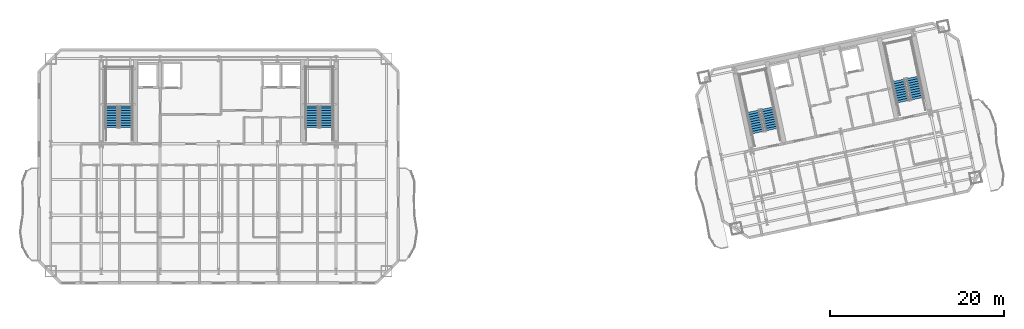
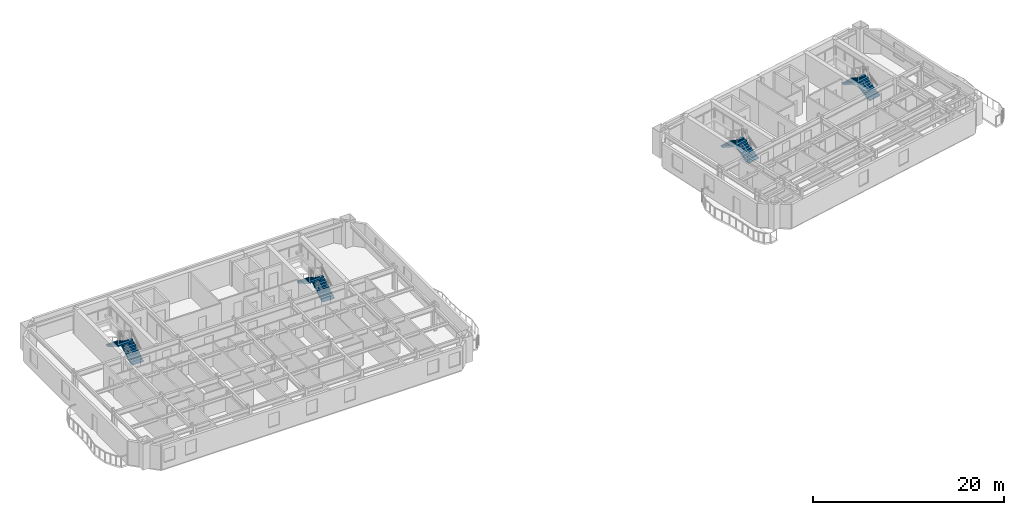
# One storey, part 10 of 14: 8 stair flights, 4 elements without a shape of their own.
"""IFC4 building model written with IfcOpenShell, lengths in metres."""

from ifc_helpers import new_model, si_unit, direction, frame, origin, place, context, subcontext, project, spatial, polyline, outline, extrude, material, type_object, element, aggregate, save


model = new_model("IFC4")

# Units and contexts
model_context = context("Model", 3, precision=1e-05, world=origin(), true_north=direction((0.0, 1.0)))
body_context = subcontext(model_context, "Body", "Model", "MODEL_VIEW")
ifc_project = project(units=[si_unit("LENGTHUNIT", "METRE"), si_unit("AREAUNIT", "SQUARE_METRE"), si_unit("VOLUMEUNIT", "CUBIC_METRE"), si_unit("PLANEANGLEUNIT", "RADIAN"), si_unit("MASSUNIT", "GRAM", prefix="KILO")], contexts=[model_context])

# Site, building, storey
site_placement = place(None, origin())
site = spatial("IfcSite", under=ifc_project, at=site_placement, CompositionType="ELEMENT")
building_placement = place(site_placement, origin())
building = spatial("IfcBuilding", under=site, at=building_placement, Name="Haevon Station Towers", CompositionType="ELEMENT")
storey_placement = place(building_placement, frame((0.0, 0.0, 179.10009765625)))
storey = spatial("IfcBuildingStorey", under=building, at=storey_placement, Name="L49", CompositionType="ELEMENT", Elevation=179.10009765625)

# Stair, stair flights
ifc_material = material(Name="Concrete C40/50", Category="concrete")
stair_type = type_object("IfcStairType", Name="STR-DL1450", PredefinedType="USERDEFINED", material=ifc_material)
stair_1_placement = place(storey_placement, origin())
stair_1 = element("IfcStair", 1, at=stair_1_placement, inside=storey, type_object=stair_type, Name="L49 Escape Stair ST1", ObjectType="TWO_RETURN_STAIR", PredefinedType="USERDEFINED")
stair_flight_type = type_object("IfcStairFlightType", Name="STF-ST1450", PredefinedType="STRAIGHT", material=ifc_material)
stair_flight_1_placement = place(storey_placement, frame((26.85498046875, 40.050048828125, 0.0), z_axis=(0.0, 0.0, 1.0), x_axis=(0.0, 1.0, 0.0)))
stair_flight_1 = element("IfcStairFlight", 2, at=stair_flight_1_placement, type_object=stair_flight_type, Name="L49 ST1 Flight 1", NumberOfRisers=10, NumberOfTreads=9, PredefinedType="STRAIGHT", RiserHeight=0.165, TreadLength=0.28, context=body_context, shape_type="SweptSolid", body=[
    extrude(outline(polyline([(0.0, 0.0), (0.0, 0.1650390625), (0.280029296875, 0.1650390625), (0.280029296875, 0.330078125), (0.56005859375, 0.330078125), (0.56005859375, 0.4951171875), (0.840087890625, 0.4951171875), (0.840087890625, 0.659912109375), (1.1201171875, 0.659912109375), (1.1201171875, 0.824951171875), (1.39990234375, 0.824951171875), (1.39990234375, 0.989990234375), (1.679931640625, 0.989990234375), (1.679931640625, 1.155029296875), (1.9599609375, 1.155029296875), (1.9599609375, 1.320068359375), (2.239990234375, 1.320068359375), (2.239990234375, 1.485107421875), (2.52001953125, 1.485107421875), (2.52001953125, 1.64990234375), (2.52001953125, 1.29931640625), (0.31494140625, 0.0), (0.0, 0.0)])), frame((0.0, 0.72509765625, 0.0), z_axis=(0.0, -1.0, 0.0), x_axis=(1.0, 0.0, 0.0)), (0.0, 0.0, 1.0), 1.449951171875),
])
stair_flight_2_placement = place(storey_placement, frame((25.205078125, 42.570068359375, 1.64990234375), z_axis=(0.0, 0.0, 1.0), x_axis=(0.0, -1.0, 0.0)))
stair_flight_2 = element("IfcStairFlight", 3, at=stair_flight_2_placement, type_object=stair_flight_type, Name="L49 ST1 Flight 2", NumberOfRisers=10, NumberOfTreads=9, PredefinedType="STRAIGHT", RiserHeight=0.165, TreadLength=0.28, context=body_context, shape_type="SweptSolid", body=[
    extrude(outline(polyline([(0.0, 0.0), (0.0, 0.1650390625), (0.280029296875, 0.1650390625), (0.280029296875, 0.330078125), (0.56005859375, 0.330078125), (0.56005859375, 0.4951171875), (0.840087890625, 0.4951171875), (0.840087890625, 0.659912109375), (1.1201171875, 0.659912109375), (1.1201171875, 0.824951171875), (1.39990234375, 0.824951171875), (1.39990234375, 0.989990234375), (1.679931640625, 0.989990234375), (1.679931640625, 1.155029296875), (1.9599609375, 1.155029296875), (1.9599609375, 1.320068359375), (2.239990234375, 1.320068359375), (2.239990234375, 1.485107421875), (2.52001953125, 1.485107421875), (2.52001953125, 1.64990234375), (2.52001953125, 1.29931640625), (0.31494140625, 0.0), (0.0, 0.0)])), frame((0.0, 0.72509765625, 0.0), z_axis=(0.0, -1.0, 0.0), x_axis=(1.0, 0.0, 0.0)), (0.0, 0.0, 1.0), 1.449951171875),
])
aggregate(stair_1, [stair_flight_1, stair_flight_2])

stair_2_placement = place(storey_placement, origin())
stair_2 = element("IfcStair", 4, at=stair_2_placement, inside=storey, type_object=stair_type, Name="L49 Escape Stair ST2", ObjectType="TWO_RETURN_STAIR", PredefinedType="USERDEFINED")
stair_flight_3_placement = place(storey_placement, frame((49.89501953125, 40.050048828125, 0.0), z_axis=(0.0, 0.0, 1.0), x_axis=(0.0, 1.0, 0.0)))
stair_flight_3 = element("IfcStairFlight", 5, at=stair_flight_3_placement, type_object=stair_flight_type, Name="L49 ST2 Flight 1", NumberOfRisers=10, NumberOfTreads=9, PredefinedType="STRAIGHT", RiserHeight=0.165, TreadLength=0.28, context=body_context, shape_type="SweptSolid", body=[
    extrude(outline(polyline([(0.0, 0.0), (0.0, 0.1650390625), (0.280029296875, 0.1650390625), (0.280029296875, 0.330078125), (0.56005859375, 0.330078125), (0.56005859375, 0.4951171875), (0.840087890625, 0.4951171875), (0.840087890625, 0.659912109375), (1.1201171875, 0.659912109375), (1.1201171875, 0.824951171875), (1.39990234375, 0.824951171875), (1.39990234375, 0.989990234375), (1.679931640625, 0.989990234375), (1.679931640625, 1.155029296875), (1.9599609375, 1.155029296875), (1.9599609375, 1.320068359375), (2.239990234375, 1.320068359375), (2.239990234375, 1.485107421875), (2.52001953125, 1.485107421875), (2.52001953125, 1.64990234375), (2.52001953125, 1.29931640625), (0.31494140625, 0.0), (0.0, 0.0)])), frame((0.0, 0.72509765625, 0.0), z_axis=(0.0, -1.0, 0.0), x_axis=(1.0, 0.0, 0.0)), (0.0, 0.0, 1.0), 1.449951171875),
])
stair_flight_4_placement = place(storey_placement, frame((48.2451171875, 42.570068359375, 1.64990234375), z_axis=(0.0, 0.0, 1.0), x_axis=(0.0, -1.0, 0.0)))
stair_flight_4 = element("IfcStairFlight", 6, at=stair_flight_4_placement, type_object=stair_flight_type, Name="L49 ST2 Flight 2", NumberOfRisers=10, NumberOfTreads=9, PredefinedType="STRAIGHT", RiserHeight=0.165, TreadLength=0.28, context=body_context, shape_type="SweptSolid", body=[
    extrude(outline(polyline([(0.0, 0.0), (0.0, 0.1650390625), (0.280029296875, 0.1650390625), (0.280029296875, 0.330078125), (0.56005859375, 0.330078125), (0.56005859375, 0.4951171875), (0.840087890625, 0.4951171875), (0.840087890625, 0.659912109375), (1.1201171875, 0.659912109375), (1.1201171875, 0.824951171875), (1.39990234375, 0.824951171875), (1.39990234375, 0.989990234375), (1.679931640625, 0.989990234375), (1.679931640625, 1.155029296875), (1.9599609375, 1.155029296875), (1.9599609375, 1.320068359375), (2.239990234375, 1.320068359375), (2.239990234375, 1.485107421875), (2.52001953125, 1.485107421875), (2.52001953125, 1.64990234375), (2.52001953125, 1.29931640625), (0.31494140625, 0.0), (0.0, 0.0)])), frame((0.0, 0.72509765625, 0.0), z_axis=(0.0, -1.0, 0.0), x_axis=(1.0, 0.0, 0.0)), (0.0, 0.0, 1.0), 1.449951171875),
])
aggregate(stair_2, [stair_flight_3, stair_flight_4])

stair_3_placement = place(storey_placement, origin())
stair_3 = element("IfcStair", 7, at=stair_3_placement, inside=storey, type_object=stair_type, Name="L49 Escape Stair ST3", ObjectType="TWO_RETURN_STAIR", PredefinedType="USERDEFINED")
stair_flight_5_placement = place(storey_placement, frame((101.1015625, 39.8330078125, 0.0), z_axis=(0.0, 0.0, 1.0), x_axis=(-0.207911690818, 0.978147600734, 0.0)))
stair_flight_5 = element("IfcStairFlight", 8, at=stair_flight_5_placement, type_object=stair_flight_type, Name="L49 ST3 Flight 1", NumberOfRisers=10, NumberOfTreads=9, PredefinedType="STRAIGHT", RiserHeight=0.165, TreadLength=0.28, context=body_context, shape_type="SweptSolid", body=[
    extrude(outline(polyline([(0.0, 0.0), (0.0, 0.1650390625), (0.280029296875, 0.1650390625), (0.280029296875, 0.330078125), (0.56005859375, 0.330078125), (0.56005859375, 0.4951171875), (0.840087890625, 0.4951171875), (0.840087890625, 0.659912109375), (1.1201171875, 0.659912109375), (1.1201171875, 0.824951171875), (1.39990234375, 0.824951171875), (1.39990234375, 0.989990234375), (1.679931640625, 0.989990234375), (1.679931640625, 1.155029296875), (1.9599609375, 1.155029296875), (1.9599609375, 1.320068359375), (2.239990234375, 1.320068359375), (2.239990234375, 1.485107421875), (2.52001953125, 1.485107421875), (2.52001953125, 1.64990234375), (2.52001953125, 1.29931640625), (0.31494140625, 0.0), (0.0, 0.0)])), frame((0.0, 0.72509765625, 0.0), z_axis=(0.0, -1.0, 0.0), x_axis=(1.0, 0.0, 0.0)), (0.0, 0.0, 1.0), 1.449951171875),
])
stair_flight_6_placement = place(storey_placement, frame((98.9638671875, 41.955078125, 1.64990234375), z_axis=(0.0, 0.0, 1.0), x_axis=(0.207911690818, -0.978147600734, 0.0)))
stair_flight_6 = element("IfcStairFlight", 9, at=stair_flight_6_placement, type_object=stair_flight_type, Name="L49 ST3 Flight 2", NumberOfRisers=10, NumberOfTreads=9, PredefinedType="STRAIGHT", RiserHeight=0.165, TreadLength=0.28, context=body_context, shape_type="SweptSolid", body=[
    extrude(outline(polyline([(0.0, 0.0), (0.0, 0.1650390625), (0.280029296875, 0.1650390625), (0.280029296875, 0.330078125), (0.56005859375, 0.330078125), (0.56005859375, 0.4951171875), (0.840087890625, 0.4951171875), (0.840087890625, 0.659912109375), (1.1201171875, 0.659912109375), (1.1201171875, 0.824951171875), (1.39990234375, 0.824951171875), (1.39990234375, 0.989990234375), (1.679931640625, 0.989990234375), (1.679931640625, 1.155029296875), (1.9599609375, 1.155029296875), (1.9599609375, 1.320068359375), (2.239990234375, 1.320068359375), (2.239990234375, 1.485107421875), (2.52001953125, 1.485107421875), (2.52001953125, 1.64990234375), (2.52001953125, 1.29931640625), (0.31494140625, 0.0), (0.0, 0.0)])), frame((0.0, 0.72509765625, 0.0), z_axis=(0.0, -1.0, 0.0), x_axis=(1.0, 0.0, 0.0)), (0.0, 0.0, 1.0), 1.449951171875),
])
aggregate(stair_3, [stair_flight_5, stair_flight_6])

stair_4_placement = place(storey_placement, origin())
stair_4 = element("IfcStair", 10, at=stair_4_placement, inside=storey, type_object=stair_type, Name="L49 Escape Stair ST4", ObjectType="TWO_RETURN_STAIR", PredefinedType="USERDEFINED")
stair_flight_7_placement = place(storey_placement, frame((117.788818359375, 43.380126953125, 0.0), z_axis=(0.0, 0.0, 1.0), x_axis=(-0.207911690818, 0.978147600734, 0.0)))
stair_flight_7 = element("IfcStairFlight", 11, at=stair_flight_7_placement, type_object=stair_flight_type, Name="L49 ST4 Flight 1", NumberOfRisers=10, NumberOfTreads=9, PredefinedType="STRAIGHT", RiserHeight=0.165, TreadLength=0.28, context=body_context, shape_type="SweptSolid", body=[
    extrude(outline(polyline([(0.0, 0.0), (0.0, 0.1650390625), (0.280029296875, 0.1650390625), (0.280029296875, 0.330078125), (0.56005859375, 0.330078125), (0.56005859375, 0.4951171875), (0.840087890625, 0.4951171875), (0.840087890625, 0.659912109375), (1.1201171875, 0.659912109375), (1.1201171875, 0.824951171875), (1.39990234375, 0.824951171875), (1.39990234375, 0.989990234375), (1.679931640625, 0.989990234375), (1.679931640625, 1.155029296875), (1.9599609375, 1.155029296875), (1.9599609375, 1.320068359375), (2.239990234375, 1.320068359375), (2.239990234375, 1.485107421875), (2.52001953125, 1.485107421875), (2.52001953125, 1.64990234375), (2.52001953125, 1.29931640625), (0.31494140625, 0.0), (0.0, 0.0)])), frame((0.0, 0.72509765625, 0.0), z_axis=(0.0, -1.0, 0.0), x_axis=(1.0, 0.0, 0.0)), (0.0, 0.0, 1.0), 1.449951171875),
])
stair_flight_8_placement = place(storey_placement, frame((115.65087890625, 45.501953125, 1.64990234375), z_axis=(0.0, 0.0, 1.0), x_axis=(0.207911690818, -0.978147600734, 0.0)))
stair_flight_8 = element("IfcStairFlight", 12, at=stair_flight_8_placement, type_object=stair_flight_type, Name="L49 ST4 Flight 2", NumberOfRisers=10, NumberOfTreads=9, PredefinedType="STRAIGHT", RiserHeight=0.165, TreadLength=0.28, context=body_context, shape_type="SweptSolid", body=[
    extrude(outline(polyline([(0.0, 0.0), (0.0, 0.1650390625), (0.280029296875, 0.1650390625), (0.280029296875, 0.330078125), (0.56005859375, 0.330078125), (0.56005859375, 0.4951171875), (0.840087890625, 0.4951171875), (0.840087890625, 0.659912109375), (1.1201171875, 0.659912109375), (1.1201171875, 0.824951171875), (1.39990234375, 0.824951171875), (1.39990234375, 0.989990234375), (1.679931640625, 0.989990234375), (1.679931640625, 1.155029296875), (1.9599609375, 1.155029296875), (1.9599609375, 1.320068359375), (2.239990234375, 1.320068359375), (2.239990234375, 1.485107421875), (2.52001953125, 1.485107421875), (2.52001953125, 1.64990234375), (2.52001953125, 1.29931640625), (0.31494140625, 0.0), (0.0, 0.0)])), frame((0.0, 0.72509765625, 0.0), z_axis=(0.0, -1.0, 0.0), x_axis=(1.0, 0.0, 0.0)), (0.0, 0.0, 1.0), 1.449951171875),
])
aggregate(stair_4, [stair_flight_7, stair_flight_8])

save(model, "model.ifc")
